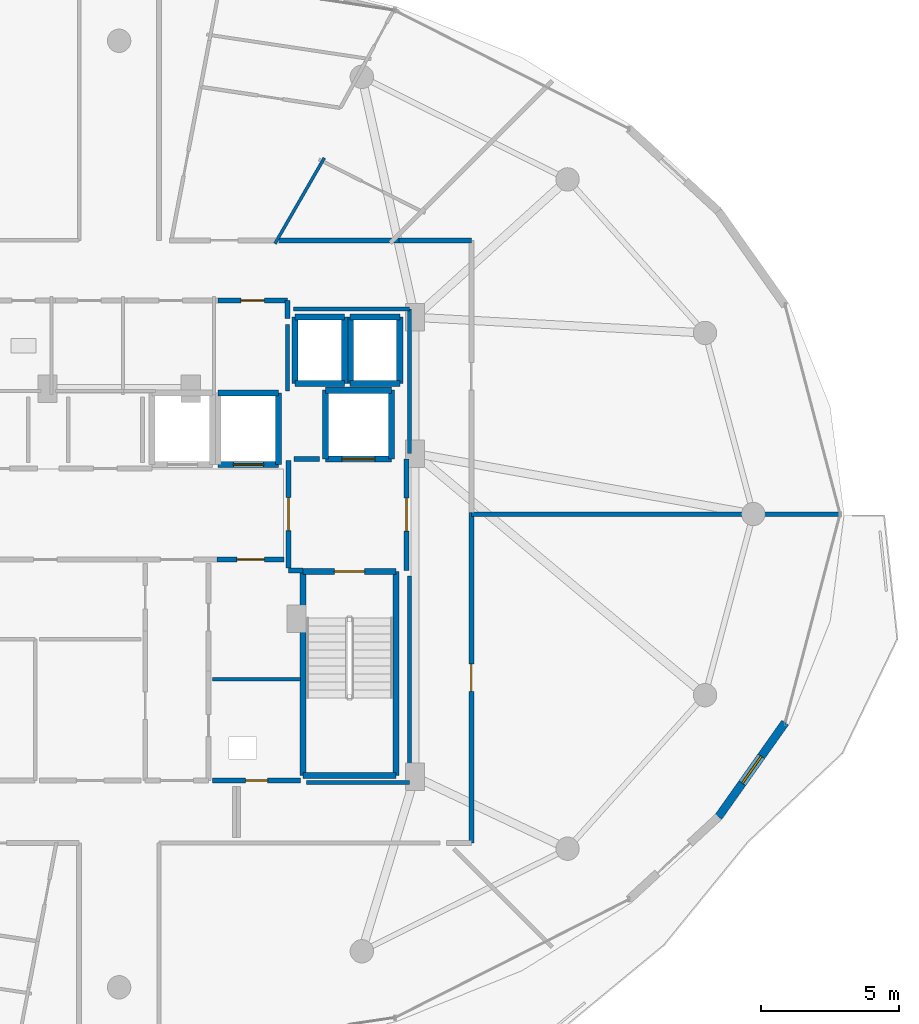
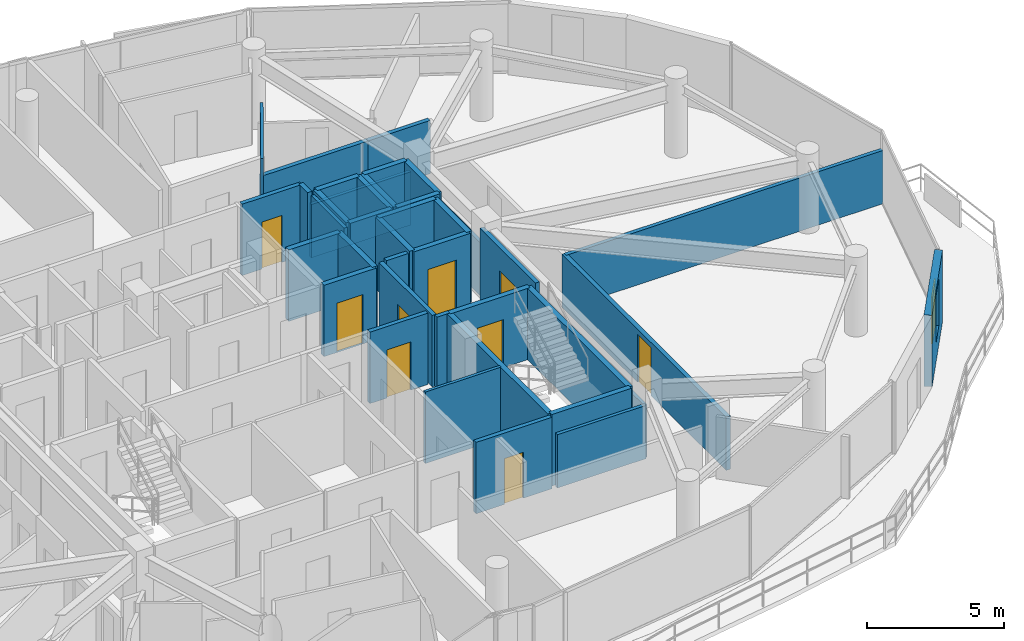
# One storey, part 20 of 25: 39 walls, 9 doors, 1 window, 10 openings.
"""IFC4 building model written with IfcOpenShell, lengths in metres."""

from ifc_helpers import new_model, si_unit, direction, frame, frame_2d, origin, place, context, subcontext, project, spatial, rectangle, extrude, material, layer, layer_set, type_object, element, fill, save


model = new_model("IFC4")

# Units and contexts
model_context = context("Model", 3, precision=1e-05, world=origin(), true_north=direction((0.0, 1.0)))
body_context = subcontext(model_context, "Body", "Model", "MODEL_VIEW")
ifc_project = project(units=[si_unit("LENGTHUNIT", "METRE"), si_unit("AREAUNIT", "SQUARE_METRE"), si_unit("VOLUMEUNIT", "CUBIC_METRE"), si_unit("PLANEANGLEUNIT", "RADIAN"), si_unit("MASSUNIT", "GRAM", prefix="KILO")], contexts=[model_context])

# Site, building, storey
site_placement = place(None, origin())
site = spatial("IfcSite", under=ifc_project, at=site_placement, CompositionType="ELEMENT")
building_placement = place(site_placement, origin())
building = spatial("IfcBuilding", under=site, at=building_placement, Name="Vorneva Point Tower", CompositionType="ELEMENT")
storey_placement = place(building_placement, frame((0.0, 0.0, 276.85009765625)))
storey = spatial("IfcBuildingStorey", under=building, at=storey_placement, Name="L75", CompositionType="ELEMENT", Elevation=276.85009765625)

# Wall, opening, door
ifc_material_1 = material(Name="Concrete B60 (C50/60)", Category="concrete")
ifc_layer_1 = layer(ifc_material_1, 0.35009765625)
ifc_layer_set_1 = layer_set([ifc_layer_1], Name="Concrete B60 (C50/60)")
wall_type_1 = type_object("IfcWallType", Name="WL-CORE-350", PredefinedType="SHEAR", material=ifc_layer_set_1)
wall_1_placement = place(storey_placement, frame((45.5, 28.0, 0.0), z_axis=(0.0, 0.0, 1.0), x_axis=(1.0, 0.0, 0.0)))
wall_1 = element("IfcWall", 1, at=wall_1_placement, inside=storey, type_object=wall_type_1, Name="L75 Lift FFL2 Shaft Wall -Y", PredefinedType="SHEAR", context=body_context, shape_type="SweptSolid", body=[
    extrude(rectangle(XDim=2.39990234375, YDim=0.219970703125, at=frame_2d((1.199951171875, 0.0))), origin(), (0.0, 0.0, 1.0), 3.18994140625),
])
opening_1_placement = place(wall_1_placement, frame((0.60009765625, 0.0, 0.0)))
opening_1 = element("IfcOpeningElement", 2, at=opening_1_placement, cuts=wall_1, Name="Opening LD-02", PredefinedType="OPENING", context=body_context, shape_type="SweptSolid", body=[
    extrude(rectangle(XDim=1.199951171875, YDim=2.199951171875, at=frame_2d((0.60009765625, 1.10009765625))), frame((0.0, 0.125, 0.0), z_axis=(0.0, -1.0, 0.0), x_axis=(1.0, 0.0, 0.0)), (0.0, 0.0, 1.0), 0.249755859375),
])
ifc_material_2 = material(Name="Brushed stainless steel S304", Category="steel")
door_type_1 = type_object("IfcDoorType", Name="LD-FIRE-1200", OperationType="SLIDING_TO_LEFT", PredefinedType="DOOR", material=ifc_material_2)
door_1_placement = place(opening_1_placement, origin())
door_1 = element("IfcDoor", 3, at=door_1_placement, inside=storey, type_object=door_type_1, Name="L75 Lift FFL2 Sliding Landing Door", OperationType="SLIDING_TO_LEFT", OverallHeight=2.199951171875, OverallWidth=1.199951171875, PredefinedType="DOOR", context=body_context, shape_type="SweptSolid", body=[
    extrude(rectangle(XDim=1.199951171875, YDim=2.199951171875, at=frame_2d((0.60009765625, 1.10009765625))), frame((0.0, 0.02490234375, 0.0), z_axis=(0.0, -1.0, 0.0), x_axis=(1.0, 0.0, 0.0)), (0.0, 0.0, 1.0), 0.050048828125),
])
fill(opening_1, door_1)

# Walls
wall_2_placement = place(storey_placement, frame((47.89990234375, 28.0, 0.0), z_axis=(0.0, 0.0, 1.0), x_axis=(0.0, 1.0, 0.0)))
element("IfcWall", 4, at=wall_2_placement, inside=storey, type_object=wall_type_1, Name="L75 Lift FFL2 Shaft Wall +X", PredefinedType="SHEAR", context=body_context, shape_type="SweptSolid", body=[
    extrude(rectangle(XDim=2.5, YDim=0.219970703125, at=frame_2d((1.25, 0.0))), origin(), (0.0, 0.0, 1.0), 3.18994140625),
])
wall_3_placement = place(storey_placement, frame((47.89990234375, 30.5, 0.0), z_axis=(0.0, 0.0, 1.0), x_axis=(-1.0, 0.0, 0.0)))
element("IfcWall", 5, at=wall_3_placement, inside=storey, type_object=wall_type_1, Name="L75 Lift FFL2 Shaft Wall +Y", PredefinedType="SHEAR", context=body_context, shape_type="SweptSolid", body=[
    extrude(rectangle(XDim=2.39990234375, YDim=0.219970703125, at=frame_2d((1.199951171875, 0.0))), origin(), (0.0, 0.0, 1.0), 3.18994140625),
])
wall_4_placement = place(storey_placement, frame((45.5, 30.5, 0.0), z_axis=(0.0, 0.0, 1.0), x_axis=(0.0, -1.0, 0.0)))
element("IfcWall", 6, at=wall_4_placement, inside=storey, type_object=wall_type_1, Name="L75 Lift FFL2 Shaft Wall -X", PredefinedType="SHEAR", context=body_context, shape_type="SweptSolid", body=[
    extrude(rectangle(XDim=2.5, YDim=0.219970703125, at=frame_2d((1.25, 0.0))), origin(), (0.0, 0.0, 1.0), 3.18994140625),
])

# Wall, opening, window
ifc_material_3 = material(Name="Precast concrete B50 (C40/50)", Category="concrete")
ifc_layer_2 = layer(ifc_material_3, 0.300048828125)
ifc_layer_set_2 = layer_set([ifc_layer_2], Name="Precast concrete B50 (C40/50)")
wall_type_2 = type_object("IfcWallType", Name="WL-EXT-300", PredefinedType="STANDARD", material=ifc_layer_set_2)
wall_5_placement = place(storey_placement, frame((59.784423828125, 14.994140625, 0.0), z_axis=(0.0, 0.0, 1.0), x_axis=(0.577261247247, 0.816559521668, 0.0)))
wall_5 = element("IfcWall", 7, at=wall_5_placement, inside=storey, type_object=wall_type_2, Name="L75 Pale-Metal Facade Spandrel Wall 15.2", PredefinedType="STANDARD", context=body_context, shape_type="SweptSolid", body=[
    extrude(rectangle(XDim=4.194091796875, YDim=0.300048828125, at=frame_2d((2.09716796875, 0.0))), origin(), (0.0, 0.0, 1.0), 3.18994140625),
])
opening_2_placement = place(wall_5_placement, frame((1.4970703125, 0.0, 0.85009765625)))
opening_2 = element("IfcOpeningElement", 8, at=opening_2_placement, cuts=wall_5, Name="Opening W-04", PredefinedType="OPENING", context=body_context, shape_type="SweptSolid", body=[
    extrude(rectangle(XDim=1.199951171875, YDim=2.10009765625, at=frame_2d((0.60009765625, 1.050048828125))), frame((0.0, 0.1650390625, 0.0), z_axis=(0.0, -1.0, 0.0), x_axis=(1.0, 0.0, 0.0)), (0.0, 0.0, 1.0), 0.329833984375),
])
ifc_material_4 = material(Name="Double low-e laminated glass IGU", Category="glass")
window_type = type_object("IfcWindowType", Name="WN-RES-1200", PartitioningType="SINGLE_PANEL", PredefinedType="WINDOW", material=ifc_material_4)
window_placement = place(opening_2_placement, origin())
window = element("IfcWindow", 9, at=window_placement, inside=storey, type_object=window_type, Name="L75 Facade Window 15", OverallHeight=2.10009765625, OverallWidth=1.199951171875, PartitioningType="SINGLE_PANEL", PredefinedType="WINDOW", context=body_context, shape_type="SweptSolid", body=[
    extrude(rectangle(XDim=1.199951171875, YDim=2.10009765625, at=frame_2d((0.60009765625, 1.050048828125))), frame((0.0, 0.030029296875, 0.0), z_axis=(0.0, -1.0, 0.0), x_axis=(1.0, 0.0, 0.0)), (0.0, 0.0, 1.0), 0.06005859375),
])
fill(opening_2, window)

# Walls
ifc_material_5 = material(Name="Fire-rated acoustic gypsum stud partition", Category="gypsum")
ifc_layer_3 = layer(ifc_material_5, 0.110107421875)
ifc_layer_set_3 = layer_set([ifc_layer_3], Name="Fire-rated acoustic gypsum stud partition")
wall_type_3 = type_object("IfcWallType", Name="WL-PART-110", PredefinedType="PARTITIONING", material=ifc_layer_set_3)
wall_6_placement = place(storey_placement, frame((43.6640625, 35.82861328125, 0.0), z_axis=(0.0, 0.0, 1.0), x_axis=(0.49917767271, 0.866499654396, 0.0)))
element("IfcWall", 10, at=wall_6_placement, inside=storey, type_object=wall_type_3, Name="L75 Interior Partition 063", PredefinedType="PARTITIONING", context=body_context, shape_type="SweptSolid", body=[
    extrude(rectangle(XDim=3.595703125, YDim=0.110107421875, at=frame_2d((1.7978515625, 0.0))), origin(), (0.0, 0.0, 1.0), 3.18994140625),
])
ifc_layer_4 = layer(ifc_material_5, 0.125)
ifc_layer_set_4 = layer_set([ifc_layer_4], Name="Fire-rated acoustic gypsum stud partition")
wall_type_4 = type_object("IfcWallType", Name="WL-PART-125", PredefinedType="PARTITIONING", material=ifc_layer_set_4)
wall_7_placement = place(storey_placement, frame((44.60009765625, 20.0, 0.0), z_axis=(0.0, 0.0, 1.0), x_axis=(-1.0, 0.0, 0.0)))
element("IfcWall", 11, at=wall_7_placement, inside=storey, type_object=wall_type_4, Name="L75 Interior Partition 020", PredefinedType="PARTITIONING", context=body_context, shape_type="SweptSolid", body=[
    extrude(rectangle(XDim=3.2001953125, YDim=0.125, at=frame_2d((1.60009765625, 0.0))), origin(), (0.0, 0.0, 1.0), 3.18994140625),
])
ifc_layer_5 = layer(ifc_material_5, 0.139892578125)
ifc_layer_set_5 = layer_set([ifc_layer_5], Name="Fire-rated acoustic gypsum stud partition")
wall_type_5 = type_object("IfcWallType", Name="WL-PART-140", PredefinedType="PARTITIONING", material=ifc_layer_set_5)
wall_8_placement = place(storey_placement, frame((44.1201171875, 30.47998046875, 0.0), z_axis=(0.0, 0.0, 1.0), x_axis=(0.0, 1.0, 0.0)))
element("IfcWall", 12, at=wall_8_placement, inside=storey, type_object=wall_type_5, Name="L75 Interior Closure Partition 112", PredefinedType="PARTITIONING", context=body_context, shape_type="SweptSolid", body=[
    extrude(rectangle(XDim=2.409912109375, YDim=0.139892578125, at=frame_2d((1.205078125, 0.0))), origin(), (0.0, 0.0, 1.0), 3.18994140625),
])
wall_9_placement = place(storey_placement, frame((44.804931640625, 16.239990234375, 0.0), z_axis=(0.0, 0.0, 1.0), x_axis=(1.0, 0.0, 0.0)))
element("IfcWall", 13, at=wall_9_placement, inside=storey, type_object=wall_type_5, Name="L75 Interior Closure Partition 122", PredefinedType="PARTITIONING", context=body_context, shape_type="SweptSolid", body=[
    extrude(rectangle(XDim=3.7451171875, YDim=0.139892578125, at=frame_2d((1.87255859375, 0.0))), origin(), (0.0, 0.0, 1.0), 2.3818359375),
])
wall_10_placement = place(storey_placement, frame((48.550048828125, 16.239990234375, 0.0), z_axis=(0.0, 0.0, 1.0), x_axis=(0.0, 1.0, 0.0)))
element("IfcWall", 14, at=wall_10_placement, inside=storey, type_object=wall_type_5, Name="L75 Interior Closure Partition 123", PredefinedType="PARTITIONING", context=body_context, shape_type="SweptSolid", body=[
    extrude(rectangle(XDim=7.513916015625, YDim=0.139892578125, at=frame_2d((3.7568359375, 0.0))), origin(), (0.0, 0.0, 1.0), 2.3818359375),
])
wall_11_placement = place(storey_placement, frame((48.550048828125, 28.196044921875, 0.0), z_axis=(0.0, 0.0, 1.0), x_axis=(0.0, 1.0, 0.0)))
element("IfcWall", 15, at=wall_11_placement, inside=storey, type_object=wall_type_5, Name="L75 Interior Closure Partition 124", PredefinedType="PARTITIONING", context=body_context, shape_type="SweptSolid", body=[
    extrude(rectangle(XDim=5.25390625, YDim=0.139892578125, at=frame_2d((2.626953125, 0.0))), origin(), (0.0, 0.0, 1.0), 2.3818359375),
])
wall_12_placement = place(storey_placement, frame((48.550048828125, 33.449951171875, 0.0), z_axis=(0.0, 0.0, 1.0), x_axis=(-1.0, 0.0, 0.0)))
element("IfcWall", 16, at=wall_12_placement, inside=storey, type_object=wall_type_5, Name="L75 Interior Closure Partition 125", PredefinedType="PARTITIONING", context=body_context, shape_type="SweptSolid", body=[
    extrude(rectangle(XDim=4.2099609375, YDim=0.139892578125, at=frame_2d((2.10498046875, 0.0))), origin(), (0.0, 0.0, 1.0), 2.3818359375),
])
ifc_layer_6 = layer(ifc_material_5, 0.159912109375)
ifc_layer_set_6 = layer_set([ifc_layer_6], Name="Fire-rated acoustic gypsum stud partition")
wall_type_6 = type_object("IfcWallType", Name="WL-PART-160", PredefinedType="PARTITIONING", material=ifc_layer_set_6)
wall_13_placement = place(storey_placement, frame((64.198974609375, 26.0, 0.0), z_axis=(0.0, 0.0, 1.0), x_axis=(-1.0, 0.0, 0.0)))
element("IfcWall", 17, at=wall_13_placement, inside=storey, type_object=wall_type_6, Name="L75 Interior Partition 108", PredefinedType="PARTITIONING", context=body_context, shape_type="SweptSolid", body=[
    extrude(rectangle(XDim=13.39892578125, YDim=0.159912109375, at=frame_2d((6.699462890625, 0.0))), origin(), (0.0, 0.0, 1.0), 2.3818359375),
])

# Wall, opening, door
ifc_material_6 = material(Name="Autoclaved aerated concrete blockwork", Category="masonry")
ifc_layer_7 = layer(ifc_material_6, 0.179931640625)
ifc_layer_set_7 = layer_set([ifc_layer_7], Name="Autoclaved aerated concrete blockwork")
wall_type_7 = type_object("IfcWallType", Name="WL-PART-180", PredefinedType="PARTITIONING", material=ifc_layer_set_7)
wall_14_placement = place(storey_placement, frame((44.14990234375, 27.955078125, 0.0), z_axis=(0.0, 0.0, 1.0), x_axis=(0.0, -1.0, 0.0)))
wall_14 = element("IfcWall", 18, at=wall_14_placement, inside=storey, type_object=wall_type_7, Name="L75 Interior Partition 003", PredefinedType="PARTITIONING", context=body_context, shape_type="SweptSolid", body=[
    extrude(rectangle(XDim=3.91015625, YDim=0.179931640625, at=frame_2d((1.955078125, 0.0))), origin(), (0.0, 0.0, 1.0), 3.18994140625),
])
opening_3_placement = place(wall_14_placement, frame((1.35498046875, 0.0, 0.0)))
opening_3 = element("IfcOpeningElement", 19, at=opening_3_placement, cuts=wall_14, Name="Opening FD-02", PredefinedType="OPENING", context=body_context, shape_type="SweptSolid", body=[
    extrude(rectangle(XDim=1.199951171875, YDim=2.14990234375, at=frame_2d((0.60009765625, 1.074951171875))), frame((0.0, 0.10498046875, 0.0), z_axis=(0.0, -1.0, 0.0), x_axis=(1.0, 0.0, 0.0)), (0.0, 0.0, 1.0), 0.209716796875),
])
ifc_material_7 = material(Name="Fire-rated powder-coated steel", Category="steel")
door_type_2 = type_object("IfcDoorType", Name="DR-FFL-1200", OperationType="NOTDEFINED", PredefinedType="DOOR", material=ifc_material_7)
door_2_placement = place(opening_3_placement, origin())
door_2 = element("IfcDoor", 20, at=door_2_placement, inside=storey, type_object=door_type_2, Name="L75 Door East Firefighting Lobby / Central Lift Lobby", OperationType="SINGLE_SWING_RIGHT", OverallHeight=2.14990234375, OverallWidth=1.199951171875, PredefinedType="DOOR", context=body_context, shape_type="SweptSolid", body=[
    extrude(rectangle(XDim=1.199951171875, YDim=2.14990234375, at=frame_2d((0.60009765625, 1.074951171875))), frame((0.0, 0.02490234375, 0.0), z_axis=(0.0, -1.0, 0.0), x_axis=(1.0, 0.0, 0.0)), (0.0, 0.0, 1.0), 0.050048828125),
])
fill(opening_3, door_2)

# Wall
wall_15_placement = place(storey_placement, frame((44.14990234375, 23.949951171875, 0.0), z_axis=(0.0, 0.0, 1.0), x_axis=(1.0, 0.0, 0.0)))
element("IfcWall", 21, at=wall_15_placement, inside=storey, type_object=wall_type_7, Name="L75 Interior Partition 004", PredefinedType="PARTITIONING", context=body_context, shape_type="SweptSolid", body=[
    extrude(rectangle(XDim=0.5400390625, YDim=0.179931640625, at=frame_2d((0.27001953125, 0.0))), origin(), (0.0, 0.0, 1.0), 3.18994140625),
])

# Wall, opening, door
wall_16_placement = place(storey_placement, frame((48.449951171875, 23.949951171875, 0.0), z_axis=(0.0, 0.0, 1.0), x_axis=(0.0, 1.0, 0.0)))
wall_16 = element("IfcWall", 22, at=wall_16_placement, inside=storey, type_object=wall_type_7, Name="L75 Interior Partition 005", PredefinedType="PARTITIONING", context=body_context, shape_type="SweptSolid", body=[
    extrude(rectangle(XDim=4.050048828125, YDim=0.179931640625, at=frame_2d((2.02490234375, 0.0))), origin(), (0.0, 0.0, 1.0), 3.18994140625),
])
opening_4_placement = place(wall_16_placement, frame((1.425048828125, 0.0, 0.0)))
opening_4 = element("IfcOpeningElement", 23, at=opening_4_placement, cuts=wall_16, Name="Opening FD-02", PredefinedType="OPENING", context=body_context, shape_type="SweptSolid", body=[
    extrude(rectangle(XDim=1.199951171875, YDim=2.14990234375, at=frame_2d((0.60009765625, 1.074951171875))), frame((0.0, 0.10498046875, 0.0), z_axis=(0.0, -1.0, 0.0), x_axis=(1.0, 0.0, 0.0)), (0.0, 0.0, 1.0), 0.209716796875),
])
door_3_placement = place(opening_4_placement, origin())
door_3 = element("IfcDoor", 24, at=door_3_placement, inside=storey, type_object=door_type_2, Name="L75 Door East Firefighting Lobby / L75 Circulation Corridor", OperationType="SINGLE_SWING_LEFT", OverallHeight=2.14990234375, OverallWidth=1.199951171875, PredefinedType="DOOR", context=body_context, shape_type="SweptSolid", body=[
    extrude(rectangle(XDim=1.199951171875, YDim=2.14990234375, at=frame_2d((0.60009765625, 1.074951171875))), frame((0.0, 0.02490234375, 0.0), z_axis=(0.0, -1.0, 0.0), x_axis=(1.0, 0.0, 0.0)), (0.0, 0.0, 1.0), 0.050048828125),
])
fill(opening_4, door_3)

wall_17_placement = place(storey_placement, frame((41.554931640625, 24.35009765625, 0.0), z_axis=(0.0, 0.0, 1.0), x_axis=(1.0, 0.0, 0.0)))
wall_17 = element("IfcWall", 25, at=wall_17_placement, inside=storey, type_object=wall_type_7, Name="L75 Interior Partition 011", PredefinedType="PARTITIONING", context=body_context, shape_type="SweptSolid", body=[
    extrude(rectangle(XDim=2.445068359375, YDim=0.179931640625, at=frame_2d((1.22265625, 0.0))), origin(), (0.0, 0.0, 1.0), 3.18994140625),
])
opening_5_placement = place(wall_17_placement, frame((0.722412109375, 0.0, 0.0)))
opening_5 = element("IfcOpeningElement", 26, at=opening_5_placement, cuts=wall_17, Name="Opening UD-01", PredefinedType="OPENING", context=body_context, shape_type="SweptSolid", body=[
    extrude(rectangle(XDim=1.0, YDim=2.14990234375, at=frame_2d((0.5, 1.074951171875))), frame((0.0, 0.10498046875, 0.0), z_axis=(0.0, -1.0, 0.0), x_axis=(1.0, 0.0, 0.0)), (0.0, 0.0, 1.0), 0.209716796875),
])
ifc_material_8 = material(Name="Engineered oak fire-rated door leaf", Category="wood")
door_type_3 = type_object("IfcDoorType", Name="DR-UNIT-1000", OperationType="NOTDEFINED", PredefinedType="DOOR", material=ifc_material_8)
door_4_placement = place(opening_5_placement, origin())
door_4 = element("IfcDoor", 27, at=door_4_placement, inside=storey, type_object=door_type_3, Name="L75 Door Central Lift Lobby / Floor Management Office", OperationType="SINGLE_SWING_RIGHT", OverallHeight=2.14990234375, OverallWidth=1.0, PredefinedType="DOOR", context=body_context, shape_type="SweptSolid", body=[
    extrude(rectangle(XDim=1.0, YDim=2.14990234375, at=frame_2d((0.5, 1.074951171875))), frame((0.0, 0.02490234375, 0.0), z_axis=(0.0, -1.0, 0.0), x_axis=(1.0, 0.0, 0.0)), (0.0, 0.0, 1.0), 0.050048828125),
])
fill(opening_5, door_4)

wall_18_placement = place(storey_placement, frame((41.39990234375, 16.320068359375, 0.0), z_axis=(0.0, 0.0, 1.0), x_axis=(1.0, 0.0, 0.0)))
wall_18 = element("IfcWall", 28, at=wall_18_placement, inside=storey, type_object=wall_type_7, Name="L75 Interior Partition 021", PredefinedType="PARTITIONING", context=body_context, shape_type="SweptSolid", body=[
    extrude(rectangle(XDim=3.2001953125, YDim=0.179931640625, at=frame_2d((1.60009765625, 0.0))), origin(), (0.0, 0.0, 1.0), 3.18994140625),
])
opening_6_placement = place(wall_18_placement, frame((1.199951171875, 0.0, 0.0)))
opening_6 = element("IfcOpeningElement", 29, at=opening_6_placement, cuts=wall_18, Name="Opening RD-01", PredefinedType="OPENING", context=body_context, shape_type="SweptSolid", body=[
    extrude(rectangle(XDim=0.800048828125, YDim=2.050048828125, at=frame_2d((0.39990234375, 1.02490234375))), frame((0.0, 0.10498046875, 0.0), z_axis=(0.0, -1.0, 0.0), x_axis=(1.0, 0.0, 0.0)), (0.0, 0.0, 1.0), 0.209716796875),
])
door_type_4 = type_object("IfcDoorType", Name="DR-RSR-800", OperationType="SINGLE_SWING_LEFT", PredefinedType="DOOR", material=ifc_material_7)
door_5_placement = place(opening_6_placement, origin())
door_5 = element("IfcDoor", 30, at=door_5_placement, inside=storey, type_object=door_type_4, Name="L75 Door Electrical Riser / L75 Circulation Corridor", OperationType="SINGLE_SWING_LEFT", OverallHeight=2.050048828125, OverallWidth=0.800048828125, PredefinedType="DOOR", context=body_context, shape_type="SweptSolid", body=[
    extrude(rectangle(XDim=0.800048828125, YDim=2.050048828125, at=frame_2d((0.39990234375, 1.02490234375))), frame((0.0, 0.02490234375, 0.0), z_axis=(0.0, -1.0, 0.0), x_axis=(1.0, 0.0, 0.0)), (0.0, 0.0, 1.0), 0.050048828125),
])
fill(opening_6, door_5)

wall_19_placement = place(storey_placement, frame((44.1201171875, 33.760009765625, 0.0), z_axis=(0.0, 0.0, 1.0), x_axis=(-1.0, 0.0, 0.0)))
wall_19 = element("IfcWall", 31, at=wall_19_placement, inside=storey, type_object=wall_type_7, Name="L75 Interior Partition 031", PredefinedType="PARTITIONING", context=body_context, shape_type="SweptSolid", body=[
    extrude(rectangle(XDim=2.530029296875, YDim=0.179931640625, at=frame_2d((1.26513671875, 0.0))), origin(), (0.0, 0.0, 1.0), 3.18994140625),
])
opening_7_placement = place(wall_19_placement, frame((0.840087890625, 0.0, 0.0)))
opening_7 = element("IfcOpeningElement", 32, at=opening_7_placement, cuts=wall_19, Name="Opening ID-02", PredefinedType="OPENING", context=body_context, shape_type="SweptSolid", body=[
    extrude(rectangle(XDim=0.85009765625, YDim=2.10009765625, at=frame_2d((0.425048828125, 1.050048828125))), frame((0.0, 0.10498046875, 0.0), z_axis=(0.0, -1.0, 0.0), x_axis=(1.0, 0.0, 0.0)), (0.0, 0.0, 1.0), 0.209716796875),
])
door_type_5 = type_object("IfcDoorType", Name="DR-BATH-850", OperationType="NOTDEFINED", PredefinedType="DOOR", material=ifc_material_8)
door_6_placement = place(opening_7_placement, origin())
door_6 = element("IfcDoor", 33, at=door_6_placement, inside=storey, type_object=door_type_5, Name="L75 Door Cleaners Store / L75 Circulation Corridor", OperationType="SINGLE_SWING_LEFT", OverallHeight=2.10009765625, OverallWidth=0.85009765625, PredefinedType="DOOR", context=body_context, shape_type="SweptSolid", body=[
    extrude(rectangle(XDim=0.85009765625, YDim=2.10009765625, at=frame_2d((0.425048828125, 1.050048828125))), frame((0.0, 0.02490234375, 0.0), z_axis=(0.0, -1.0, 0.0), x_axis=(1.0, 0.0, 0.0)), (0.0, 0.0, 1.0), 0.050048828125),
])
fill(opening_7, door_6)

# Walls
wall_20_placement = place(storey_placement, frame((44.1201171875, 33.110107421875, 0.0), z_axis=(0.0, 0.0, 1.0), x_axis=(0.0, 1.0, 0.0)))
element("IfcWall", 34, at=wall_20_placement, inside=storey, type_object=wall_type_7, Name="L75 Interior Partition 032", PredefinedType="PARTITIONING", context=body_context, shape_type="SweptSolid", body=[
    extrude(rectangle(XDim=0.64990234375, YDim=0.179931640625, at=frame_2d((0.324951171875, 0.0))), origin(), (0.0, 0.0, 1.0), 3.18994140625),
])
wall_21_placement = place(storey_placement, frame((48.175048828125, 35.949951171875, 0.0), z_axis=(0.0, 0.0, 1.0), x_axis=(-1.0, 0.0, 0.0)))
element("IfcWall", 35, at=wall_21_placement, inside=storey, type_object=wall_type_7, Name="L75 Interior Partition 039", PredefinedType="PARTITIONING", context=body_context, shape_type="SweptSolid", body=[
    extrude(rectangle(XDim=4.511962890625, YDim=0.179931640625, at=frame_2d((2.255859375, 0.0))), origin(), (0.0, 0.0, 1.0), 2.3818359375),
])

# Wall, opening, door
wall_22_placement = place(storey_placement, frame((50.800048828125, 14.050048828125, 0.0), z_axis=(0.0, 0.0, 1.0), x_axis=(0.0, 1.0, 0.0)))
wall_22 = element("IfcWall", 36, at=wall_22_placement, inside=storey, type_object=wall_type_7, Name="L75 Interior Partition 060", PredefinedType="PARTITIONING", context=body_context, shape_type="SweptSolid", body=[
    extrude(rectangle(XDim=12.010009765625, YDim=0.179931640625, at=frame_2d((6.0048828125, 0.0))), origin(), (0.0, 0.0, 1.0), 2.3818359375),
])
opening_8_placement = place(wall_22_placement, frame((5.5048828125, 0.0, 0.0)))
opening_8 = element("IfcOpeningElement", 37, at=opening_8_placement, cuts=wall_22, Name="Opening UD-01", PredefinedType="OPENING", context=body_context, shape_type="SweptSolid", body=[
    extrude(rectangle(XDim=1.0, YDim=2.14990234375, at=frame_2d((0.5, 1.074951171875))), frame((0.0, 0.10498046875, 0.0), z_axis=(0.0, -1.0, 0.0), x_axis=(1.0, 0.0, 0.0)), (0.0, 0.0, 1.0), 0.209716796875),
])
door_7_placement = place(opening_8_placement, origin())
door_7 = element("IfcDoor", 38, at=door_7_placement, inside=storey, type_object=door_type_3, Name="L75 Door L75 Circulation Corridor / Residents Co-Working Office L75-04", OperationType="SINGLE_SWING_LEFT", OverallHeight=2.14990234375, OverallWidth=1.0, PredefinedType="DOOR", context=body_context, shape_type="SweptSolid", body=[
    extrude(rectangle(XDim=1.0, YDim=2.14990234375, at=frame_2d((0.5, 1.074951171875))), frame((0.0, 0.02490234375, 0.0), z_axis=(0.0, -1.0, 0.0), x_axis=(1.0, 0.0, 0.0)), (0.0, 0.0, 1.0), 0.050048828125),
])
fill(opening_8, door_7)

# Walls
wall_23_placement = place(storey_placement, frame((50.800048828125, 35.949951171875, 0.0), z_axis=(0.0, 0.0, 1.0), x_axis=(-1.0, 0.0, 0.0)))
element("IfcWall", 39, at=wall_23_placement, inside=storey, type_object=wall_type_7, Name="L75 Interior Partition 062", PredefinedType="PARTITIONING", context=body_context, shape_type="SweptSolid", body=[
    extrude(rectangle(XDim=2.625, YDim=0.179931640625, at=frame_2d((1.3125, 0.0))), origin(), (0.0, 0.0, 1.0), 2.3818359375),
])
wall_24_placement = place(storey_placement, frame((45.280029296875, 28.0, 0.0), z_axis=(0.0, 0.0, 1.0), x_axis=(-1.0, 0.0, 0.0)))
element("IfcWall", 40, at=wall_24_placement, inside=storey, type_object=wall_type_7, Name="L75 Interior Closure Partition 110", PredefinedType="PARTITIONING", context=body_context, shape_type="SweptSolid", body=[
    extrude(rectangle(XDim=0.9150390625, YDim=0.179931640625, at=frame_2d((0.45751953125, 0.0))), origin(), (0.0, 0.0, 1.0), 3.18994140625),
])

# Wall, opening, door
ifc_material_9 = material(Name="Concrete B50 (C40/50)", Category="concrete")
ifc_layer_8 = layer(ifc_material_9, 0.219970703125)
ifc_layer_set_8 = layer_set([ifc_layer_8], Name="Concrete B50 (C40/50)")
wall_type_8 = type_object("IfcWallType", Name="WL-SHFT-220", PredefinedType="SOLIDWALL", material=ifc_layer_set_8)
wall_25_placement = place(storey_placement, frame((44.68994140625, 23.909912109375, 0.0), z_axis=(0.0, 0.0, 1.0), x_axis=(1.0, 0.0, 0.0)))
wall_25 = element("IfcWall", 41, at=wall_25_placement, inside=storey, type_object=wall_type_8, Name="L75 Exit Stair ST2 Shaft Wall near", PredefinedType="SOLIDWALL", context=body_context, shape_type="SweptSolid", body=[
    extrude(rectangle(XDim=3.3701171875, YDim=0.219970703125, at=frame_2d((1.68505859375, 0.0))), origin(), (0.0, 0.0, 1.0), 3.18994140625),
])
opening_9_placement = place(wall_25_placement, frame((1.135009765625, 0.0, 0.0)))
opening_9 = element("IfcOpeningElement", 42, at=opening_9_placement, cuts=wall_25, Name="Opening FD-01", PredefinedType="OPENING", context=body_context, shape_type="SweptSolid", body=[
    extrude(rectangle(XDim=1.10009765625, YDim=2.14990234375, at=frame_2d((0.550048828125, 1.074951171875))), frame((0.0, 0.125, 0.0), z_axis=(0.0, -1.0, 0.0), x_axis=(1.0, 0.0, 0.0)), (0.0, 0.0, 1.0), 0.249755859375),
])
door_type_6 = type_object("IfcDoorType", Name="DR-STAIR-1100", OperationType="NOTDEFINED", PredefinedType="DOOR", material=ifc_material_7)
door_8_placement = place(opening_9_placement, origin())
door_8 = element("IfcDoor", 43, at=door_8_placement, inside=storey, type_object=door_type_6, Name="L75 Exit Stair ST2 Fire Door", OperationType="SINGLE_SWING_RIGHT", OverallHeight=2.14990234375, OverallWidth=1.10009765625, PredefinedType="DOOR", context=body_context, shape_type="SweptSolid", body=[
    extrude(rectangle(XDim=1.10009765625, YDim=2.14990234375, at=frame_2d((0.550048828125, 1.074951171875))), frame((0.0, 0.02490234375, 0.0), z_axis=(0.0, -1.0, 0.0), x_axis=(1.0, 0.0, 0.0)), (0.0, 0.0, 1.0), 0.050048828125),
])
fill(opening_9, door_8)

# Walls
wall_26_placement = place(storey_placement, frame((48.06005859375, 23.909912109375, 0.0), z_axis=(0.0, 0.0, 1.0), x_axis=(0.0, -1.0, 0.0)))
element("IfcWall", 44, at=wall_26_placement, inside=storey, type_object=wall_type_8, Name="L75 Exit Stair ST2 Shaft Wall right", PredefinedType="SOLIDWALL", context=body_context, shape_type="SweptSolid", body=[
    extrude(rectangle(XDim=7.419921875, YDim=0.219970703125, at=frame_2d((3.7099609375, 0.0))), origin(), (0.0, 0.0, 1.0), 3.18994140625),
])
wall_27_placement = place(storey_placement, frame((48.06005859375, 16.489990234375, 0.0), z_axis=(0.0, 0.0, 1.0), x_axis=(-1.0, 0.0, 0.0)))
element("IfcWall", 45, at=wall_27_placement, inside=storey, type_object=wall_type_8, Name="L75 Exit Stair ST2 Shaft Wall far", PredefinedType="SOLIDWALL", context=body_context, shape_type="SweptSolid", body=[
    extrude(rectangle(XDim=3.3701171875, YDim=0.219970703125, at=frame_2d((1.68505859375, 0.0))), origin(), (0.0, 0.0, 1.0), 3.18994140625),
])
wall_28_placement = place(storey_placement, frame((44.68994140625, 16.489990234375, 0.0), z_axis=(0.0, 0.0, 1.0), x_axis=(0.0, 1.0, 0.0)))
element("IfcWall", 46, at=wall_28_placement, inside=storey, type_object=wall_type_8, Name="L75 Exit Stair ST2 Shaft Wall left", PredefinedType="SOLIDWALL", context=body_context, shape_type="SweptSolid", body=[
    extrude(rectangle(XDim=7.419921875, YDim=0.219970703125, at=frame_2d((3.7099609375, 0.0))), origin(), (0.0, 0.0, 1.0), 3.18994140625),
])

# Wall, opening, door
wall_29_placement = place(storey_placement, frame((41.60009765625, 27.800048828125, 0.0), z_axis=(0.0, 0.0, 1.0), x_axis=(1.0, 0.0, 0.0)))
wall_29 = element("IfcWall", 47, at=wall_29_placement, inside=storey, type_object=wall_type_8, Name="L75 Lift PL8 Shaft Wall -Y", PredefinedType="SOLIDWALL", context=body_context, shape_type="SweptSolid", body=[
    extrude(rectangle(XDim=2.199951171875, YDim=0.219970703125, at=frame_2d((1.10009765625, 0.0))), origin(), (0.0, 0.0, 1.0), 3.18994140625),
])
opening_10_placement = place(wall_29_placement, frame((0.550048828125, 0.0, 0.0)))
opening_10 = element("IfcOpeningElement", 48, at=opening_10_placement, cuts=wall_29, Name="Opening LD-01", PredefinedType="OPENING", context=body_context, shape_type="SweptSolid", body=[
    extrude(rectangle(XDim=1.10009765625, YDim=2.199951171875, at=frame_2d((0.550048828125, 1.10009765625))), frame((0.0, 0.125, 0.0), z_axis=(0.0, -1.0, 0.0), x_axis=(1.0, 0.0, 0.0)), (0.0, 0.0, 1.0), 0.249755859375),
])
door_type_7 = type_object("IfcDoorType", Name="LD-PASS-1100", OperationType="SLIDING_TO_LEFT", PredefinedType="DOOR", material=ifc_material_2)
door_9_placement = place(opening_10_placement, origin())
door_9 = element("IfcDoor", 49, at=door_9_placement, inside=storey, type_object=door_type_7, Name="L75 Lift PL8 Sliding Landing Door", OperationType="SLIDING_TO_LEFT", OverallHeight=2.199951171875, OverallWidth=1.10009765625, PredefinedType="DOOR", context=body_context, shape_type="SweptSolid", body=[
    extrude(rectangle(XDim=1.10009765625, YDim=2.199951171875, at=frame_2d((0.550048828125, 1.10009765625))), frame((0.0, 0.02490234375, 0.0), z_axis=(0.0, -1.0, 0.0), x_axis=(1.0, 0.0, 0.0)), (0.0, 0.0, 1.0), 0.050048828125),
])
fill(opening_10, door_9)

# Walls
wall_30_placement = place(storey_placement, frame((43.800048828125, 27.800048828125, 0.0), z_axis=(0.0, 0.0, 1.0), x_axis=(0.0, 1.0, 0.0)))
element("IfcWall", 50, at=wall_30_placement, inside=storey, type_object=wall_type_8, Name="L75 Lift PL8 Shaft Wall +X", PredefinedType="SOLIDWALL", context=body_context, shape_type="SweptSolid", body=[
    extrude(rectangle(XDim=2.599853515625, YDim=0.219970703125, at=frame_2d((1.2998046875, 0.0))), origin(), (0.0, 0.0, 1.0), 3.18994140625),
])
wall_31_placement = place(storey_placement, frame((43.800048828125, 30.39990234375, 0.0), z_axis=(0.0, 0.0, 1.0), x_axis=(-1.0, 0.0, 0.0)))
element("IfcWall", 51, at=wall_31_placement, inside=storey, type_object=wall_type_8, Name="L75 Lift PL8 Shaft Wall +Y", PredefinedType="SOLIDWALL", context=body_context, shape_type="SweptSolid", body=[
    extrude(rectangle(XDim=2.199951171875, YDim=0.219970703125, at=frame_2d((1.10009765625, 0.0))), origin(), (0.0, 0.0, 1.0), 3.18994140625),
])
wall_32_placement = place(storey_placement, frame((44.39990234375, 30.739990234375, 0.0), z_axis=(0.0, 0.0, 1.0), x_axis=(1.0, 0.0, 0.0)))
element("IfcWall", 52, at=wall_32_placement, inside=storey, type_object=wall_type_8, Name="L75 Lift EX1 Shaft Wall -Y", PredefinedType="SOLIDWALL", context=body_context, shape_type="SweptSolid", body=[
    extrude(rectangle(XDim=1.800048828125, YDim=0.219970703125, at=frame_2d((0.89990234375, 0.0))), origin(), (0.0, 0.0, 1.0), 3.18994140625),
])
wall_33_placement = place(storey_placement, frame((46.199951171875, 30.739990234375, 0.0), z_axis=(0.0, 0.0, 1.0), x_axis=(0.0, 1.0, 0.0)))
element("IfcWall", 53, at=wall_33_placement, inside=storey, type_object=wall_type_8, Name="L75 Lift EX1 Shaft Wall +X", PredefinedType="SOLIDWALL", context=body_context, shape_type="SweptSolid", body=[
    extrude(rectangle(XDim=2.419921875, YDim=0.219970703125, at=frame_2d((1.2099609375, 0.0))), origin(), (0.0, 0.0, 1.0), 3.18994140625),
])
wall_34_placement = place(storey_placement, frame((46.199951171875, 33.159912109375, 0.0), z_axis=(0.0, 0.0, 1.0), x_axis=(-1.0, 0.0, 0.0)))
element("IfcWall", 54, at=wall_34_placement, inside=storey, type_object=wall_type_8, Name="L75 Lift EX1 Shaft Wall +Y", PredefinedType="SOLIDWALL", context=body_context, shape_type="SweptSolid", body=[
    extrude(rectangle(XDim=1.800048828125, YDim=0.219970703125, at=frame_2d((0.89990234375, 0.0))), origin(), (0.0, 0.0, 1.0), 3.18994140625),
])
wall_35_placement = place(storey_placement, frame((44.39990234375, 33.159912109375, 0.0), z_axis=(0.0, 0.0, 1.0), x_axis=(0.0, -1.0, 0.0)))
element("IfcWall", 55, at=wall_35_placement, inside=storey, type_object=wall_type_8, Name="L75 Lift EX1 Shaft Wall -X", PredefinedType="SOLIDWALL", context=body_context, shape_type="SweptSolid", body=[
    extrude(rectangle(XDim=2.419921875, YDim=0.219970703125, at=frame_2d((1.2099609375, 0.0))), origin(), (0.0, 0.0, 1.0), 3.18994140625),
])
wall_36_placement = place(storey_placement, frame((46.39990234375, 30.739990234375, 0.0), z_axis=(0.0, 0.0, 1.0), x_axis=(1.0, 0.0, 0.0)))
element("IfcWall", 56, at=wall_36_placement, inside=storey, type_object=wall_type_8, Name="L75 Lift EX2 Shaft Wall -Y", PredefinedType="SOLIDWALL", context=body_context, shape_type="SweptSolid", body=[
    extrude(rectangle(XDim=1.800048828125, YDim=0.219970703125, at=frame_2d((0.89990234375, 0.0))), origin(), (0.0, 0.0, 1.0), 3.18994140625),
])
wall_37_placement = place(storey_placement, frame((48.199951171875, 30.739990234375, 0.0), z_axis=(0.0, 0.0, 1.0), x_axis=(0.0, 1.0, 0.0)))
element("IfcWall", 57, at=wall_37_placement, inside=storey, type_object=wall_type_8, Name="L75 Lift EX2 Shaft Wall +X", PredefinedType="SOLIDWALL", context=body_context, shape_type="SweptSolid", body=[
    extrude(rectangle(XDim=2.419921875, YDim=0.219970703125, at=frame_2d((1.2099609375, 0.0))), origin(), (0.0, 0.0, 1.0), 3.18994140625),
])
wall_38_placement = place(storey_placement, frame((48.199951171875, 33.159912109375, 0.0), z_axis=(0.0, 0.0, 1.0), x_axis=(-1.0, 0.0, 0.0)))
element("IfcWall", 58, at=wall_38_placement, inside=storey, type_object=wall_type_8, Name="L75 Lift EX2 Shaft Wall +Y", PredefinedType="SOLIDWALL", context=body_context, shape_type="SweptSolid", body=[
    extrude(rectangle(XDim=1.800048828125, YDim=0.219970703125, at=frame_2d((0.89990234375, 0.0))), origin(), (0.0, 0.0, 1.0), 3.18994140625),
])
wall_39_placement = place(storey_placement, frame((46.39990234375, 33.159912109375, 0.0), z_axis=(0.0, 0.0, 1.0), x_axis=(0.0, -1.0, 0.0)))
element("IfcWall", 59, at=wall_39_placement, inside=storey, type_object=wall_type_8, Name="L75 Lift EX2 Shaft Wall -X", PredefinedType="SOLIDWALL", context=body_context, shape_type="SweptSolid", body=[
    extrude(rectangle(XDim=2.419921875, YDim=0.219970703125, at=frame_2d((1.2099609375, 0.0))), origin(), (0.0, 0.0, 1.0), 3.18994140625),
])

save(model, "model.ifc")
